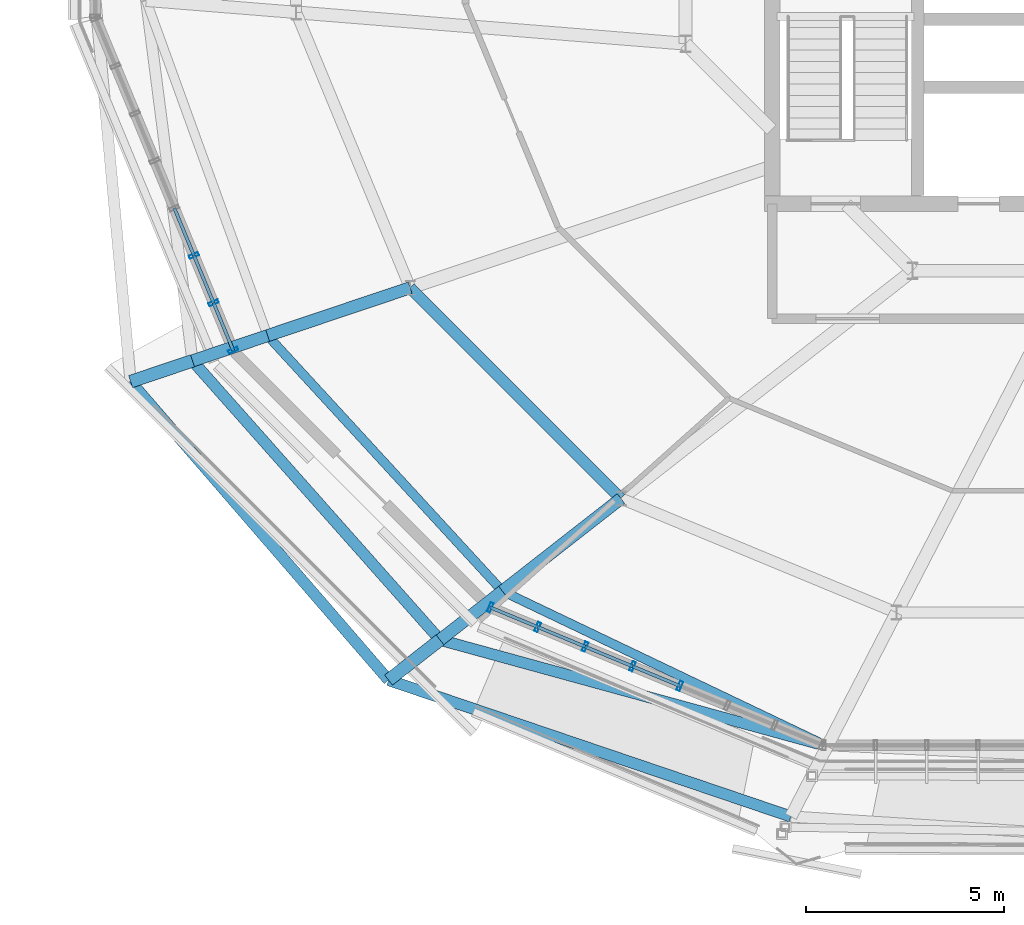
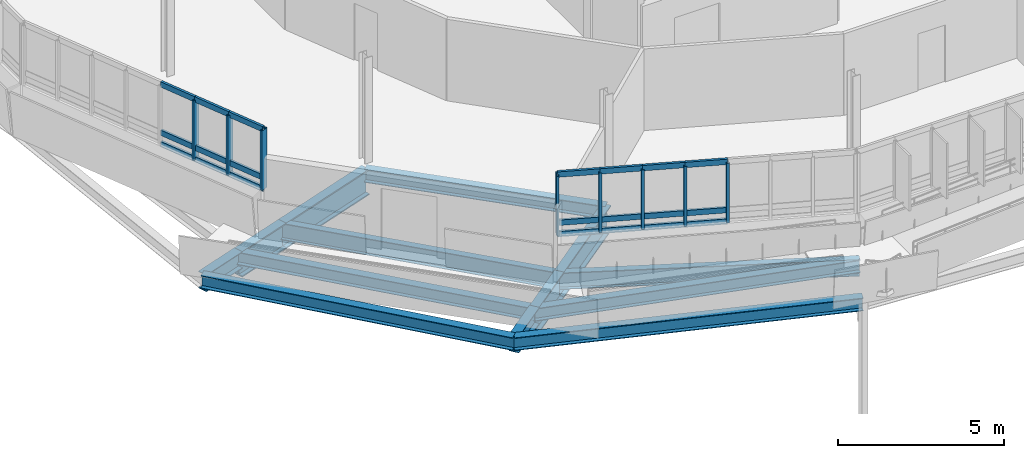
# One storey, part 3 of 38: 29 members, 13 beams, 2 elements without a shape of their own.
"""IFC4 building model written with IfcOpenShell, lengths in metres."""

from ifc_helpers import new_model, si_unit, derived_unit, direction, frame, origin, origin_2d, place, context, subcontext, project, spatial, hollow_rectangle, i_section, extrude, material, layer, layer_set, material_profile, profile_set, type_object, element, aggregate, save


model = new_model("IFC4")

# Units and contexts
model_context = context("Model", 3, precision=1e-05, world=origin(), true_north=direction((0.0, 1.0)))
body_context = subcontext(model_context, "Body", "Model", "MODEL_VIEW")
ifc_project = project(units=[si_unit("LENGTHUNIT", "METRE"), si_unit("AREAUNIT", "SQUARE_METRE"), si_unit("VOLUMEUNIT", "CUBIC_METRE"), si_unit("PLANEANGLEUNIT", "RADIAN"), si_unit("MASSUNIT", "GRAM", prefix="KILO"), derived_unit("THERMALTRANSMITTANCEUNIT", [(si_unit("MASSUNIT", "GRAM", prefix="KILO"), 1), (si_unit("TIMEUNIT", "SECOND"), -3), (si_unit("THERMODYNAMICTEMPERATUREUNIT", "KELVIN"), -1)])], contexts=[model_context])

# Site, building, storey
site_placement = place(None, origin())
site = spatial("IfcSite", under=ifc_project, at=site_placement, CompositionType="ELEMENT")
building_placement = place(site_placement, origin())
building = spatial("IfcBuilding", under=site, at=building_placement, Name="Makaiwela Harbour Ferry Terminal", CompositionType="ELEMENT")
storey_placement = place(building_placement, frame((0.0, 0.0, 17.699951171875)))
storey = spatial("IfcBuildingStorey", under=building, at=storey_placement, Name="L04", CompositionType="ELEMENT", Elevation=17.699951171875)

# Curtain wall, members
ifc_material_1 = material(Name="Marine anodised aluminium 6063-T6", Category="aluminium")
ifc_layer = layer(ifc_material_1, 0.199951171875)
ifc_layer_set = layer_set([ifc_layer], Name="Marine anodised aluminium 6063-T6")
curtain_wall_type = type_object("IfcCurtainWallType", Name="ENV-CW-06", PredefinedType="USERDEFINED", material=ifc_layer_set)
curtain_wall_1_placement = place(storey_placement, origin())
curtain_wall_1 = element("IfcCurtainWall", 1, at=curtain_wall_1_placement, inside=storey, type_object=curtain_wall_type, Name="Unitised Curtain Wall CWA-051", ObjectType="UNITIZED CURTAIN WALL", PredefinedType="USERDEFINED")
ifc_material_profile_1 = material_profile(ifc_material_1, hollow_rectangle(XDim=0.0849609375, YDim=0.25, WallThickness=0.0048828125, at=origin_2d()), Name="CWM-250X85")
ifc_profile_set_1 = profile_set([ifc_material_profile_1], Name="Marine anodised aluminium 6063-T6")
member_type_1 = type_object("IfcMemberType", Name="CW-MUL-250", PredefinedType="MULLION", material=ifc_profile_set_1)
member_1_placement = place(storey_placement, frame((15.59033203125, 58.191650390625, 1.47998046875), z_axis=(0.0, 0.0, 1.0), x_axis=(-0.382683432365, 0.923879532511, 0.0)))
member_1 = element("IfcMember", 2, at=member_1_placement, type_object=member_type_1, Name="Curtain Wall Mullion CWA-051-6", PredefinedType="MULLION", context=body_context, shape_type="SweptSolid", body=[
    extrude(hollow_rectangle(XDim=0.0849609375, YDim=0.25, WallThickness=0.0048828125, at=origin_2d()), origin(), (0.0, 0.0, 1.0), 2.199951171875),
])
member_2_placement = place(storey_placement, frame((16.086181640625, 56.994384765625, 1.47998046875), z_axis=(0.0, 0.0, 1.0), x_axis=(-0.382683432365, 0.923879532511, 0.0)))
member_2 = element("IfcMember", 3, at=member_2_placement, type_object=member_type_1, Name="Curtain Wall Mullion CWA-051-7", PredefinedType="MULLION", context=body_context, shape_type="SweptSolid", body=[
    extrude(hollow_rectangle(XDim=0.0849609375, YDim=0.25, WallThickness=0.0048828125, at=origin_2d()), origin(), (0.0, 0.0, 1.0), 2.199951171875),
])
member_3_placement = place(storey_placement, frame((16.58203125, 55.79736328125, 1.47998046875), z_axis=(0.0, 0.0, 1.0), x_axis=(-0.382683432365, 0.923879532511, 0.0)))
member_3 = element("IfcMember", 4, at=member_3_placement, type_object=member_type_1, Name="Curtain Wall Mullion CWA-051-8", PredefinedType="MULLION", context=body_context, shape_type="SweptSolid", body=[
    extrude(hollow_rectangle(XDim=0.0849609375, YDim=0.25, WallThickness=0.0048828125, at=origin_2d()), origin(), (0.0, 0.0, 1.0), 2.199951171875),
])

curtain_wall_2_placement = place(storey_placement, origin())
curtain_wall_2 = element("IfcCurtainWall", 5, at=curtain_wall_2_placement, inside=storey, type_object=curtain_wall_type, Name="Unitised Curtain Wall CWA-052", ObjectType="UNITIZED CURTAIN WALL", PredefinedType="USERDEFINED")
member_4_placement = place(storey_placement, frame((23.077392578125, 49.302001953125, 1.47998046875), z_axis=(0.0, 0.0, 1.0), x_axis=(-0.923879532511, 0.382683432365, 0.0)))
member_4 = element("IfcMember", 6, at=member_4_placement, type_object=member_type_1, Name="Curtain Wall Mullion CWA-052-1", PredefinedType="MULLION", context=body_context, shape_type="SweptSolid", body=[
    extrude(hollow_rectangle(XDim=0.0849609375, YDim=0.25, WallThickness=0.0048828125, at=origin_2d()), origin(), (0.0, 0.0, 1.0), 2.199951171875),
])
member_5_placement = place(storey_placement, frame((24.2744140625, 48.80615234375, 1.47998046875), z_axis=(0.0, 0.0, 1.0), x_axis=(-0.923879532511, 0.382683432365, 0.0)))
member_5 = element("IfcMember", 7, at=member_5_placement, type_object=member_type_1, Name="Curtain Wall Mullion CWA-052-2", PredefinedType="MULLION", context=body_context, shape_type="SweptSolid", body=[
    extrude(hollow_rectangle(XDim=0.0849609375, YDim=0.25, WallThickness=0.0048828125, at=origin_2d()), origin(), (0.0, 0.0, 1.0), 2.199951171875),
])
member_6_placement = place(storey_placement, frame((25.4716796875, 48.310302734375, 1.47998046875), z_axis=(0.0, 0.0, 1.0), x_axis=(-0.923879532511, 0.382683432365, 0.0)))
member_6 = element("IfcMember", 8, at=member_6_placement, type_object=member_type_1, Name="Curtain Wall Mullion CWA-052-3", PredefinedType="MULLION", context=body_context, shape_type="SweptSolid", body=[
    extrude(hollow_rectangle(XDim=0.0849609375, YDim=0.25, WallThickness=0.0048828125, at=origin_2d()), origin(), (0.0, 0.0, 1.0), 2.199951171875),
])
member_7_placement = place(storey_placement, frame((26.668701171875, 47.814453125, 1.47998046875), z_axis=(0.0, 0.0, 1.0), x_axis=(-0.923879532511, 0.382683432365, 0.0)))
member_7 = element("IfcMember", 9, at=member_7_placement, type_object=member_type_1, Name="Curtain Wall Mullion CWA-052-4", PredefinedType="MULLION", context=body_context, shape_type="SweptSolid", body=[
    extrude(hollow_rectangle(XDim=0.0849609375, YDim=0.25, WallThickness=0.0048828125, at=origin_2d()), origin(), (0.0, 0.0, 1.0), 2.199951171875),
])
member_8_placement = place(storey_placement, frame((27.865966796875, 47.318603515625, 1.47998046875), z_axis=(0.0, 0.0, 1.0), x_axis=(-0.923879532511, 0.382683432365, 0.0)))
member_8 = element("IfcMember", 10, at=member_8_placement, type_object=member_type_1, Name="Curtain Wall Mullion CWA-052-5", PredefinedType="MULLION", context=body_context, shape_type="SweptSolid", body=[
    extrude(hollow_rectangle(XDim=0.0849609375, YDim=0.25, WallThickness=0.0048828125, at=origin_2d()), origin(), (0.0, 0.0, 1.0), 2.199951171875),
])

# Member
ifc_material_profile_2 = material_profile(ifc_material_1, hollow_rectangle(XDim=0.0849609375, YDim=0.199951171875, WallThickness=0.0048828125, at=origin_2d()), Name="CWT-200X85")
ifc_profile_set_2 = profile_set([ifc_material_profile_2], Name="Marine anodised aluminium 6063-T6")
member_type_2 = type_object("IfcMemberType", Name="CW-TRN-200", PredefinedType="USERDEFINED", material=ifc_profile_set_2)
member_9_placement = place(storey_placement, frame((15.094482421875, 59.388671875, 1.47998046875), z_axis=(0.382701269492, -0.92387214393, 0.0), x_axis=(0.92387214393, 0.382701269492, 0.0)))
member_9 = element("IfcMember", 11, at=member_9_placement, type_object=member_type_2, Name="Curtain Wall Transom CWA-051-5-1", ObjectType="TRANSOM", PredefinedType="USERDEFINED", context=body_context, shape_type="SweptSolid", body=[
    extrude(hollow_rectangle(XDim=0.0849609375, YDim=0.199951171875, WallThickness=0.0048828125, at=origin_2d()), origin(), (0.0, 0.0, 1.0), 1.295654296875),
])

member_10_placement = place(storey_placement, frame((15.094482421875, 59.388671875, 1.900146484375), z_axis=(0.382701269492, -0.92387214393, 0.0), x_axis=(0.92387214393, 0.382701269492, 0.0)))
member_10 = element("IfcMember", 12, at=member_10_placement, type_object=member_type_2, Name="Curtain Wall Transom CWA-051-5-2", ObjectType="TRANSOM", PredefinedType="USERDEFINED", context=body_context, shape_type="SweptSolid", body=[
    extrude(hollow_rectangle(XDim=0.0849609375, YDim=0.199951171875, WallThickness=0.0048828125, at=origin_2d()), origin(), (0.0, 0.0, 1.0), 1.295654296875),
])

member_11_placement = place(storey_placement, frame((15.094482421875, 59.388671875, 3.679931640625), z_axis=(0.382701269492, -0.92387214393, 0.0), x_axis=(0.92387214393, 0.382701269492, 0.0)))
member_11 = element("IfcMember", 13, at=member_11_placement, type_object=member_type_2, Name="Curtain Wall Transom CWA-051-5-3", ObjectType="TRANSOM", PredefinedType="USERDEFINED", context=body_context, shape_type="SweptSolid", body=[
    extrude(hollow_rectangle(XDim=0.0849609375, YDim=0.199951171875, WallThickness=0.0048828125, at=origin_2d()), origin(), (0.0, 0.0, 1.0), 1.295654296875),
])

member_12_placement = place(storey_placement, frame((15.59033203125, 58.191650390625, 1.47998046875), z_axis=(0.382634657467, -0.923899734227, 0.0), x_axis=(0.923899734227, 0.382634657467, 0.0)))
member_12 = element("IfcMember", 14, at=member_12_placement, type_object=member_type_2, Name="Curtain Wall Transom CWA-051-6-1", ObjectType="TRANSOM", PredefinedType="USERDEFINED", context=body_context, shape_type="SweptSolid", body=[
    extrude(hollow_rectangle(XDim=0.0849609375, YDim=0.199951171875, WallThickness=0.0048828125, at=origin_2d()), origin(), (0.0, 0.0, 1.0), 1.2958984375),
])

member_13_placement = place(storey_placement, frame((15.59033203125, 58.191650390625, 1.900146484375), z_axis=(0.382634657467, -0.923899734227, 0.0), x_axis=(0.923899734227, 0.382634657467, 0.0)))
member_13 = element("IfcMember", 15, at=member_13_placement, type_object=member_type_2, Name="Curtain Wall Transom CWA-051-6-2", ObjectType="TRANSOM", PredefinedType="USERDEFINED", context=body_context, shape_type="SweptSolid", body=[
    extrude(hollow_rectangle(XDim=0.0849609375, YDim=0.199951171875, WallThickness=0.0048828125, at=origin_2d()), origin(), (0.0, 0.0, 1.0), 1.2958984375),
])

member_14_placement = place(storey_placement, frame((15.59033203125, 58.191650390625, 3.679931640625), z_axis=(0.382634657467, -0.923899734227, 0.0), x_axis=(0.923899734227, 0.382634657467, 0.0)))
member_14 = element("IfcMember", 16, at=member_14_placement, type_object=member_type_2, Name="Curtain Wall Transom CWA-051-6-3", ObjectType="TRANSOM", PredefinedType="USERDEFINED", context=body_context, shape_type="SweptSolid", body=[
    extrude(hollow_rectangle(XDim=0.0849609375, YDim=0.199951171875, WallThickness=0.0048828125, at=origin_2d()), origin(), (0.0, 0.0, 1.0), 1.2958984375),
])

member_15_placement = place(storey_placement, frame((16.086181640625, 56.994384765625, 1.47998046875), z_axis=(0.382701269492, -0.92387214393, 0.0), x_axis=(0.92387214393, 0.382701269492, 0.0)))
member_15 = element("IfcMember", 17, at=member_15_placement, type_object=member_type_2, Name="Curtain Wall Transom CWA-051-7-1", ObjectType="TRANSOM", PredefinedType="USERDEFINED", context=body_context, shape_type="SweptSolid", body=[
    extrude(hollow_rectangle(XDim=0.0849609375, YDim=0.199951171875, WallThickness=0.0048828125, at=origin_2d()), origin(), (0.0, 0.0, 1.0), 1.295654296875),
])

member_16_placement = place(storey_placement, frame((16.086181640625, 56.994384765625, 1.900146484375), z_axis=(0.382701269492, -0.92387214393, 0.0), x_axis=(0.92387214393, 0.382701269492, 0.0)))
member_16 = element("IfcMember", 18, at=member_16_placement, type_object=member_type_2, Name="Curtain Wall Transom CWA-051-7-2", ObjectType="TRANSOM", PredefinedType="USERDEFINED", context=body_context, shape_type="SweptSolid", body=[
    extrude(hollow_rectangle(XDim=0.0849609375, YDim=0.199951171875, WallThickness=0.0048828125, at=origin_2d()), origin(), (0.0, 0.0, 1.0), 1.295654296875),
])

member_17_placement = place(storey_placement, frame((16.086181640625, 56.994384765625, 3.679931640625), z_axis=(0.382701269492, -0.92387214393, 0.0), x_axis=(0.92387214393, 0.382701269492, 0.0)))
member_17 = element("IfcMember", 19, at=member_17_placement, type_object=member_type_2, Name="Curtain Wall Transom CWA-051-7-3", ObjectType="TRANSOM", PredefinedType="USERDEFINED", context=body_context, shape_type="SweptSolid", body=[
    extrude(hollow_rectangle(XDim=0.0849609375, YDim=0.199951171875, WallThickness=0.0048828125, at=origin_2d()), origin(), (0.0, 0.0, 1.0), 1.295654296875),
])

aggregate(curtain_wall_1, [member_1, member_2, member_3, member_9, member_10, member_11, member_12, member_13, member_14, member_15, member_16, member_17])

member_18_placement = place(storey_placement, frame((23.077392578125, 49.302001953125, 1.47998046875), z_axis=(0.92387214393, -0.382701269492, 0.0), x_axis=(0.382701269492, 0.92387214393, 0.0)))
member_18 = element("IfcMember", 20, at=member_18_placement, type_object=member_type_2, Name="Curtain Wall Transom CWA-052-1-1", ObjectType="TRANSOM", PredefinedType="USERDEFINED", context=body_context, shape_type="SweptSolid", body=[
    extrude(hollow_rectangle(XDim=0.0849609375, YDim=0.199951171875, WallThickness=0.0048828125, at=origin_2d()), origin(), (0.0, 0.0, 1.0), 1.295654296875),
])

member_19_placement = place(storey_placement, frame((23.077392578125, 49.302001953125, 1.900146484375), z_axis=(0.92387214393, -0.382701269492, 0.0), x_axis=(0.382701269492, 0.92387214393, 0.0)))
member_19 = element("IfcMember", 21, at=member_19_placement, type_object=member_type_2, Name="Curtain Wall Transom CWA-052-1-2", ObjectType="TRANSOM", PredefinedType="USERDEFINED", context=body_context, shape_type="SweptSolid", body=[
    extrude(hollow_rectangle(XDim=0.0849609375, YDim=0.199951171875, WallThickness=0.0048828125, at=origin_2d()), origin(), (0.0, 0.0, 1.0), 1.295654296875),
])

member_20_placement = place(storey_placement, frame((23.077392578125, 49.302001953125, 3.679931640625), z_axis=(0.92387214393, -0.382701269492, 0.0), x_axis=(0.382701269492, 0.92387214393, 0.0)))
member_20 = element("IfcMember", 22, at=member_20_placement, type_object=member_type_2, Name="Curtain Wall Transom CWA-052-1-3", ObjectType="TRANSOM", PredefinedType="USERDEFINED", context=body_context, shape_type="SweptSolid", body=[
    extrude(hollow_rectangle(XDim=0.0849609375, YDim=0.199951171875, WallThickness=0.0048828125, at=origin_2d()), origin(), (0.0, 0.0, 1.0), 1.295654296875),
])

member_21_placement = place(storey_placement, frame((24.2744140625, 48.80615234375, 1.47998046875), z_axis=(0.923899734227, -0.382634657467, 0.0), x_axis=(0.382634657467, 0.923899734227, 0.0)))
member_21 = element("IfcMember", 23, at=member_21_placement, type_object=member_type_2, Name="Curtain Wall Transom CWA-052-2-1", ObjectType="TRANSOM", PredefinedType="USERDEFINED", context=body_context, shape_type="SweptSolid", body=[
    extrude(hollow_rectangle(XDim=0.0849609375, YDim=0.199951171875, WallThickness=0.0048828125, at=origin_2d()), origin(), (0.0, 0.0, 1.0), 1.2958984375),
])

member_22_placement = place(storey_placement, frame((24.2744140625, 48.80615234375, 1.900146484375), z_axis=(0.923899734227, -0.382634657467, 0.0), x_axis=(0.382634657467, 0.923899734227, 0.0)))
member_22 = element("IfcMember", 24, at=member_22_placement, type_object=member_type_2, Name="Curtain Wall Transom CWA-052-2-2", ObjectType="TRANSOM", PredefinedType="USERDEFINED", context=body_context, shape_type="SweptSolid", body=[
    extrude(hollow_rectangle(XDim=0.0849609375, YDim=0.199951171875, WallThickness=0.0048828125, at=origin_2d()), origin(), (0.0, 0.0, 1.0), 1.2958984375),
])

member_23_placement = place(storey_placement, frame((24.2744140625, 48.80615234375, 3.679931640625), z_axis=(0.923899734227, -0.382634657467, 0.0), x_axis=(0.382634657467, 0.923899734227, 0.0)))
member_23 = element("IfcMember", 25, at=member_23_placement, type_object=member_type_2, Name="Curtain Wall Transom CWA-052-2-3", ObjectType="TRANSOM", PredefinedType="USERDEFINED", context=body_context, shape_type="SweptSolid", body=[
    extrude(hollow_rectangle(XDim=0.0849609375, YDim=0.199951171875, WallThickness=0.0048828125, at=origin_2d()), origin(), (0.0, 0.0, 1.0), 1.2958984375),
])

member_24_placement = place(storey_placement, frame((25.4716796875, 48.310302734375, 1.47998046875), z_axis=(0.92387214393, -0.382701269492, 0.0), x_axis=(0.382701269492, 0.92387214393, 0.0)))
member_24 = element("IfcMember", 26, at=member_24_placement, type_object=member_type_2, Name="Curtain Wall Transom CWA-052-3-1", ObjectType="TRANSOM", PredefinedType="USERDEFINED", context=body_context, shape_type="SweptSolid", body=[
    extrude(hollow_rectangle(XDim=0.0849609375, YDim=0.199951171875, WallThickness=0.0048828125, at=origin_2d()), origin(), (0.0, 0.0, 1.0), 1.295654296875),
])

member_25_placement = place(storey_placement, frame((25.4716796875, 48.310302734375, 1.900146484375), z_axis=(0.92387214393, -0.382701269492, 0.0), x_axis=(0.382701269492, 0.92387214393, 0.0)))
member_25 = element("IfcMember", 27, at=member_25_placement, type_object=member_type_2, Name="Curtain Wall Transom CWA-052-3-2", ObjectType="TRANSOM", PredefinedType="USERDEFINED", context=body_context, shape_type="SweptSolid", body=[
    extrude(hollow_rectangle(XDim=0.0849609375, YDim=0.199951171875, WallThickness=0.0048828125, at=origin_2d()), origin(), (0.0, 0.0, 1.0), 1.295654296875),
])

member_26_placement = place(storey_placement, frame((25.4716796875, 48.310302734375, 3.679931640625), z_axis=(0.92387214393, -0.382701269492, 0.0), x_axis=(0.382701269492, 0.92387214393, 0.0)))
member_26 = element("IfcMember", 28, at=member_26_placement, type_object=member_type_2, Name="Curtain Wall Transom CWA-052-3-3", ObjectType="TRANSOM", PredefinedType="USERDEFINED", context=body_context, shape_type="SweptSolid", body=[
    extrude(hollow_rectangle(XDim=0.0849609375, YDim=0.199951171875, WallThickness=0.0048828125, at=origin_2d()), origin(), (0.0, 0.0, 1.0), 1.295654296875),
])

member_27_placement = place(storey_placement, frame((26.668701171875, 47.814453125, 1.47998046875), z_axis=(0.923899734227, -0.382634657467, 0.0), x_axis=(0.382634657467, 0.923899734227, 0.0)))
member_27 = element("IfcMember", 29, at=member_27_placement, type_object=member_type_2, Name="Curtain Wall Transom CWA-052-4-1", ObjectType="TRANSOM", PredefinedType="USERDEFINED", context=body_context, shape_type="SweptSolid", body=[
    extrude(hollow_rectangle(XDim=0.0849609375, YDim=0.199951171875, WallThickness=0.0048828125, at=origin_2d()), origin(), (0.0, 0.0, 1.0), 1.2958984375),
])

member_28_placement = place(storey_placement, frame((26.668701171875, 47.814453125, 1.900146484375), z_axis=(0.923899734227, -0.382634657467, 0.0), x_axis=(0.382634657467, 0.923899734227, 0.0)))
member_28 = element("IfcMember", 30, at=member_28_placement, type_object=member_type_2, Name="Curtain Wall Transom CWA-052-4-2", ObjectType="TRANSOM", PredefinedType="USERDEFINED", context=body_context, shape_type="SweptSolid", body=[
    extrude(hollow_rectangle(XDim=0.0849609375, YDim=0.199951171875, WallThickness=0.0048828125, at=origin_2d()), origin(), (0.0, 0.0, 1.0), 1.2958984375),
])

member_29_placement = place(storey_placement, frame((26.668701171875, 47.814453125, 3.679931640625), z_axis=(0.923899734227, -0.382634657467, 0.0), x_axis=(0.382634657467, 0.923899734227, 0.0)))
member_29 = element("IfcMember", 31, at=member_29_placement, type_object=member_type_2, Name="Curtain Wall Transom CWA-052-4-3", ObjectType="TRANSOM", PredefinedType="USERDEFINED", context=body_context, shape_type="SweptSolid", body=[
    extrude(hollow_rectangle(XDim=0.0849609375, YDim=0.199951171875, WallThickness=0.0048828125, at=origin_2d()), origin(), (0.0, 0.0, 1.0), 1.2958984375),
])

aggregate(curtain_wall_2, [member_4, member_5, member_6, member_7, member_8, member_18, member_19, member_20, member_21, member_22, member_23, member_24, member_25, member_26, member_27, member_28, member_29])

# Beams
ifc_material_2 = material(Name="Steel ASTM A992 Grade 50", Category="steel")
ifc_material_profile_3 = material_profile(ifc_material_2, i_section(OverallWidth=0.280029296875, OverallDepth=0.462890625, WebThickness=0.0107421875, FlangeThickness=0.017333984375, at=origin_2d()), Name="W18X76")
ifc_profile_set_3 = profile_set([ifc_material_profile_3], Name="Steel ASTM A992 Grade 50")
beam_type_1 = type_object("IfcBeamType", Name="STR-BM-W18X76", PredefinedType="BEAM", material=ifc_profile_set_3)
beam_1_placement = place(storey_placement, frame((15.55419921875, 55.531494140625, -0.486572265625), z_axis=(0.663557769393, -0.748125047488, 0.0), x_axis=(0.748125047488, 0.663557769393, 0.0)))
element("IfcBeam", 32, at=beam_1_placement, inside=storey, type_object=beam_type_1, Name="Drum stage2 tie girder 472", PredefinedType="BEAM", context=body_context, shape_type="SweptSolid", body=[
    extrude(i_section(OverallWidth=0.280029296875, OverallDepth=0.462890625, WebThickness=0.0107421875, FlangeThickness=0.017333984375, at=origin_2d()), origin(), (0.0, 0.0, 1.0), 9.4228515625),
])
beam_2_placement = place(storey_placement, frame((21.806884765625, 48.48193359375, -0.486572265625), z_axis=(0.96429916079, -0.264815272407, 0.0), x_axis=(0.264815272407, 0.96429916079, 0.0)))
element("IfcBeam", 33, at=beam_2_placement, inside=storey, type_object=beam_type_1, Name="Drum stage2 tie girder 474", PredefinedType="BEAM", context=body_context, shape_type="SweptSolid", body=[
    extrude(i_section(OverallWidth=0.280029296875, OverallDepth=0.462890625, WebThickness=0.0107421875, FlangeThickness=0.017333984375, at=origin_2d()), origin(), (0.0, 0.0, 1.0), 10.144775390625),
])
ifc_material_profile_4 = material_profile(ifc_material_2, i_section(OverallWidth=0.324951171875, OverallDepth=0.615966796875, WebThickness=0.013916015625, FlangeThickness=0.021484375, at=origin_2d()), Name="W24X117")
ifc_profile_set_4 = profile_set([ifc_material_profile_4], Name="Steel ASTM A992 Grade 50")
beam_type_2 = type_object("IfcBeamType", Name="STR-GRD-W24X117", PredefinedType="USERDEFINED", material=ifc_profile_set_4)
for number, where, z_axis, x_axis, name in (
    (34, (15.55419921875, 55.531494140625, -0.56298828125), (-0.948000469723, -0.318268926233, 0.0), (0.318268926233, -0.948000469723, 0.0), "Promenade terrace bracket 433"),
    (35, (21.806884765625, 48.48193359375, -0.56298828125), (-0.788091669189, -0.615557894072, 0.0), (0.615557894072, -0.788091669189, 0.0), "Promenade terrace bracket 437"),
):
    element("IfcBeam", number, at=place(storey_placement, frame(where, z_axis=z_axis, x_axis=x_axis)), inside=storey, type_object=beam_type_2, Name=name, ObjectType="GIRDER", PredefinedType="USERDEFINED", context=body_context, shape_type="SweptSolid", body=[
        extrude(i_section(OverallWidth=0.324951171875, OverallDepth=0.615966796875, WebThickness=0.013916015625, FlangeThickness=0.021484375, at=origin_2d()), origin(), (0.0, 0.0, 1.0), 1.64990234375),
    ])
ifc_material_profile_5 = material_profile(ifc_material_2, i_section(OverallWidth=0.22900390625, OverallDepth=0.612060546875, WebThickness=0.011962890625, FlangeThickness=0.01953125, at=origin_2d()), Name="W24X84")
ifc_profile_set_5 = profile_set([ifc_material_profile_5], Name="Steel ASTM A992 Grade 50")
beam_type_3 = type_object("IfcBeamType", Name="STR-GRD-W24X84", PredefinedType="USERDEFINED", material=ifc_profile_set_5)
beam_3_placement = place(storey_placement, frame((17.4501953125, 56.168212890625, -0.56103515625), z_axis=(0.676696289264, -0.73626227127, 0.0), x_axis=(0.73626227127, 0.676696289264, 0.0)))
element("IfcBeam", 36, at=beam_3_placement, inside=storey, type_object=beam_type_3, Name="Drum overhang tie girder 471", ObjectType="GIRDER", PredefinedType="USERDEFINED", context=body_context, shape_type="SweptSolid", body=[
    extrude(i_section(OverallWidth=0.22900390625, OverallDepth=0.612060546875, WebThickness=0.011962890625, FlangeThickness=0.01953125, at=origin_2d()), origin(), (0.0, 0.0, 1.0), 8.76708984375),
])
beam_4_placement = place(storey_placement, frame((23.3828125, 49.71337890625, -0.56103515625), z_axis=(0.902434308602, -0.430827481316, 0.0), x_axis=(0.430827481316, 0.902434308602, 0.0)))
element("IfcBeam", 37, at=beam_4_placement, inside=storey, type_object=beam_type_3, Name="Drum overhang tie girder 473", ObjectType="GIRDER", PredefinedType="USERDEFINED", context=body_context, shape_type="SweptSolid", body=[
    extrude(i_section(OverallWidth=0.22900390625, OverallDepth=0.612060546875, WebThickness=0.011962890625, FlangeThickness=0.01953125, at=origin_2d()), origin(), (0.0, 0.0, 1.0), 9.093994140625),
])
ifc_material_profile_6 = material_profile(ifc_material_2, i_section(OverallWidth=0.31005859375, OverallDepth=0.949951171875, WebThickness=0.0244140625, FlangeThickness=0.0439453125, at=origin_2d()), Name="W36X256")
ifc_profile_set_6 = profile_set([ifc_material_profile_6], Name="Steel ASTM A992 Grade 50")
beam_type_4 = type_object("IfcBeamType", Name="STR-GRD-W36X256", PredefinedType="USERDEFINED", material=ifc_profile_set_6)
beam_5_placement = place(storey_placement, frame((21.052490234375, 57.37744140625, -0.72998046875), z_axis=(-0.948012977156, -0.318231668984, 0.0), x_axis=(0.318231668984, -0.948012977156, 0.0)))
element("IfcBeam", 38, at=beam_5_placement, inside=storey, type_object=beam_type_4, Name="Drum radial overhang 431", ObjectType="GIRDER", PredefinedType="USERDEFINED", context=body_context, shape_type="SweptSolid", body=[
    extrude(i_section(OverallWidth=0.31005859375, OverallDepth=0.949951171875, WebThickness=0.0244140625, FlangeThickness=0.0439453125, at=origin_2d()), origin(), (0.0, 0.0, 1.0), 3.7998046875),
])
beam_6_placement = place(storey_placement, frame((17.4501953125, 56.168212890625, -0.72998046875), z_axis=(-0.947972931362, -0.318350940638, 0.0), x_axis=(0.318350940638, -0.947972931362, 0.0)))
element("IfcBeam", 39, at=beam_6_placement, inside=storey, type_object=beam_type_4, Name="Drum overhang radial girder 432", ObjectType="GIRDER", PredefinedType="USERDEFINED", context=body_context, shape_type="SweptSolid", body=[
    extrude(i_section(OverallWidth=0.31005859375, OverallDepth=0.949951171875, WebThickness=0.0244140625, FlangeThickness=0.0439453125, at=origin_2d()), origin(), (0.0, 0.0, 1.0), 2.0),
])
beam_7_placement = place(storey_placement, frame((26.37744140625, 52.052490234375, -0.72998046875), z_axis=(-0.788080866077, -0.615571724921, 0.0), x_axis=(0.615571724921, -0.788080866077, 0.0)))
element("IfcBeam", 40, at=beam_7_placement, inside=storey, type_object=beam_type_4, Name="Drum radial overhang 435", ObjectType="GIRDER", PredefinedType="USERDEFINED", context=body_context, shape_type="SweptSolid", body=[
    extrude(i_section(OverallWidth=0.31005859375, OverallDepth=0.949951171875, WebThickness=0.0244140625, FlangeThickness=0.0439453125, at=origin_2d()), origin(), (0.0, 0.0, 1.0), 3.7998046875),
])
beam_8_placement = place(storey_placement, frame((23.3828125, 49.71337890625, -0.72998046875), z_axis=(-0.787963297722, -0.615722211264, 0.0), x_axis=(0.615722211264, -0.787963297722, 0.0)))
element("IfcBeam", 41, at=beam_8_placement, inside=storey, type_object=beam_type_4, Name="Drum overhang radial girder 436", ObjectType="GIRDER", PredefinedType="USERDEFINED", context=body_context, shape_type="SweptSolid", body=[
    extrude(i_section(OverallWidth=0.31005859375, OverallDepth=0.949951171875, WebThickness=0.0244140625, FlangeThickness=0.0439453125, at=origin_2d()), origin(), (0.0, 0.0, 1.0), 2.0),
])
ifc_material_profile_7 = material_profile(ifc_material_2, i_section(OverallWidth=0.283935546875, OverallDepth=0.47607421875, WebThickness=0.014892578125, FlangeThickness=0.02392578125, at=origin_2d()), Name="W18X106")
ifc_profile_set_7 = profile_set([ifc_material_profile_7], Name="Steel ASTM A992 Grade 50")
beam_type_5 = type_object("IfcBeamType", Name="STR-SPN-W18X106", PredefinedType="SPANDREL", material=ifc_profile_set_7)
beam_9_placement = place(storey_placement, frame((21.052490234375, 57.37744140625, -0.492919921875), z_axis=(0.707106781187, -0.707106781187, 0.0), x_axis=(0.707106781187, 0.707106781187, 0.0)))
element("IfcBeam", 42, at=beam_9_placement, inside=storey, type_object=beam_type_5, Name="Drum column ring girder 390", PredefinedType="SPANDREL", context=body_context, shape_type="SweptSolid", body=[
    extrude(i_section(OverallWidth=0.283935546875, OverallDepth=0.47607421875, WebThickness=0.014892578125, FlangeThickness=0.02392578125, at=origin_2d()), origin(), (0.0, 0.0, 1.0), 7.530517578125),
])
beam_10_placement = place(storey_placement, frame((13.989990234375, 55.00634765625, -0.492919921875), z_axis=(0.653892810567, -0.756587200717, 0.0), x_axis=(0.756587200717, 0.653892810567, 0.0)))
element("IfcBeam", 43, at=beam_10_placement, inside=storey, type_object=beam_type_5, Name="Drum perimeter spandrel 489", PredefinedType="SPANDREL", context=body_context, shape_type="SweptSolid", body=[
    extrude(i_section(OverallWidth=0.283935546875, OverallDepth=0.47607421875, WebThickness=0.014892578125, FlangeThickness=0.02392578125, at=origin_2d()), origin(), (0.0, 0.0, 1.0), 9.9658203125),
])
beam_11_placement = place(storey_placement, frame((20.506591796875, 47.46630859375, -0.492919921875), z_axis=(0.947009716375, -0.321204914489, 0.0), x_axis=(0.321204914489, 0.947009716375, 0.0)))
element("IfcBeam", 44, at=beam_11_placement, inside=storey, type_object=beam_type_5, Name="Drum perimeter spandrel 490", PredefinedType="SPANDREL", context=body_context, shape_type="SweptSolid", body=[
    extrude(i_section(OverallWidth=0.283935546875, OverallDepth=0.47607421875, WebThickness=0.014892578125, FlangeThickness=0.02392578125, at=origin_2d()), origin(), (0.0, 0.0, 1.0), 10.733154296875),
])

save(model, "model.ifc")
